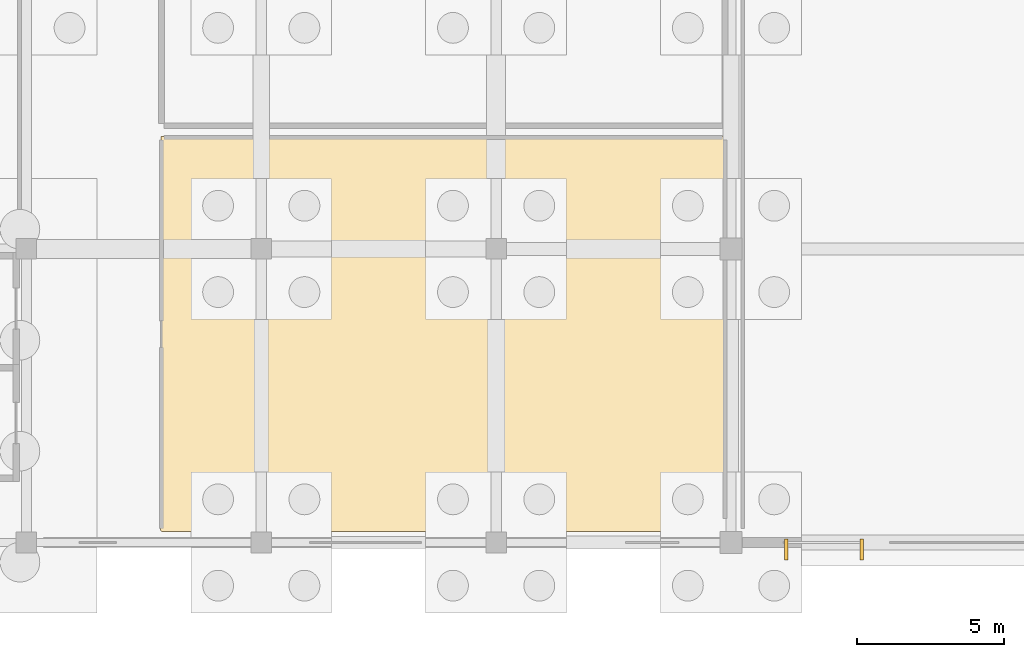
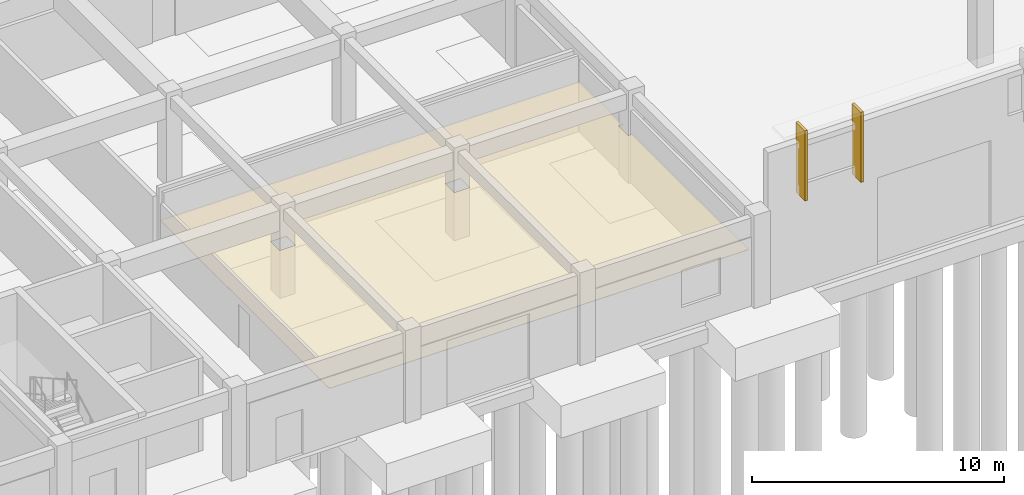
# One storey, part 77 of 84: 3 coverings.
"""IFC4 building model written with IfcOpenShell, lengths in metres."""

from ifc_helpers import new_model, si_unit, direction, frame, origin, origin_2d, place, context, subcontext, project, spatial, polyline, rectangle, outline, extrude, material, layer, layer_set, type_object, element, save


model = new_model("IFC4")

# Units and contexts
model_context = context("Model", 3, precision=1e-05, world=origin(), true_north=direction((0.0, 1.0)))
body_context = subcontext(model_context, "Body", "Model", "MODEL_VIEW")
ifc_project = project(units=[si_unit("LENGTHUNIT", "METRE"), si_unit("AREAUNIT", "SQUARE_METRE"), si_unit("VOLUMEUNIT", "CUBIC_METRE"), si_unit("PLANEANGLEUNIT", "RADIAN"), si_unit("MASSUNIT", "GRAM", prefix="KILO")], contexts=[model_context])

# Site, building, storey
site_placement = place(None, origin())
site = spatial("IfcSite", under=ifc_project, at=site_placement, CompositionType="ELEMENT")
building_placement = place(site_placement, origin())
building = spatial("IfcBuilding", under=site, at=building_placement, Name="Larkveld Mobility Hub", CompositionType="ELEMENT")
storey_placement = place(building_placement, origin())
storey = spatial("IfcBuildingStorey", under=building, at=storey_placement, Name="L00", CompositionType="ELEMENT", Elevation=0.0)

# Coverings
ifc_material_1 = material(Name="Precast concrete C50/60", Category="concrete")
ifc_layer_1 = layer(ifc_material_1, 0.1201171875, Name="Precast concrete C50/60", Category="concrete")
ifc_layer_set_1 = layer_set([ifc_layer_1], Name="Precast concrete C50/60")
covering_type_1 = type_object("IfcCoveringType", Name="COV-QSL-V01", PredefinedType="CLADDING", material=ifc_layer_set_1)
for number, where, z_axis, x_axis, name in (
    (1, (153.883056640625, -0.239990234375, 4.58056640625), (0.0, 0.0, 1.0), (1.0, 0.0, 0.0), "Precast Quebra-Sol Vertical Fin QSV-187"),
    (2, (156.449951171875, -0.239990234375, 4.58056640625), (0.0, 0.0, 1.0), (1.0, 0.0, 0.0), "Precast Quebra-Sol Vertical Fin QSV-188"),
):
    element("IfcCovering", number, at=place(storey_placement, frame(where, z_axis=z_axis, x_axis=x_axis)), inside=storey, type_object=covering_type_1, Name=name, PredefinedType="CLADDING", context=body_context, shape_type="SweptSolid", body=[
        extrude(rectangle(XDim=0.1201171875, YDim=0.719970703125, at=origin_2d()), origin(), (0.0, 0.0, 1.0), 3.405029296875),
    ])
ifc_material_2 = material(Name="Moisture-resistant gypsum board ceiling", Category="masonry")
ifc_layer_2 = layer(ifc_material_2, 0.02490234375, Name="Moisture-resistant gypsum board ceiling", Category="masonry")
ifc_layer_set_2 = layer_set([ifc_layer_2], Name="Moisture-resistant gypsum board ceiling")
covering_type_2 = type_object("IfcCoveringType", Name="CV-CLG-025", PredefinedType="CEILING", material=ifc_layer_set_2)
covering_placement = place(storey_placement, frame((0.0, 0.0, 2.324951171875)))
element("IfcCovering", 3, at=covering_placement, inside=storey, type_object=covering_type_2, Name="Automated Bus Wash and Inspection Bay Acoustic Ceiling 011", PredefinedType="CEILING", context=body_context, shape_type="SweptSolid", body=[
    extrude(outline(polyline([(132.616943359375, 0.3701171875), (132.614013671875, 0.37109375), (132.611083984375, 0.37109375), (132.60888671875, 0.3720703125), (132.60595703125, 0.3740234375), (132.60302734375, 0.375), (132.60107421875, 0.376953125), (132.59912109375, 0.37890625), (132.5791015625, 0.39892578125), (132.576904296875, 0.40087890625), (132.574951171875, 0.403076171875), (132.573974609375, 0.406005859375), (132.572021484375, 0.408935546875), (132.571044921875, 0.410888671875), (132.571044921875, 0.4140625), (132.570068359375, 0.4169921875), (132.570068359375, 0.419921875), (132.5791015625, 13.797119140625), (132.5791015625, 13.800048828125), (132.5791015625, 13.802978515625), (132.580078125, 13.804931640625), (132.5810546875, 13.80810546875), (132.58203125, 13.81103515625), (132.583984375, 13.81298828125), (132.5859375, 13.81591796875), (132.587890625, 13.818115234375), (132.590087890625, 13.820068359375), (132.592041015625, 13.822021484375), (132.594970703125, 13.822998046875), (132.596923828125, 13.823974609375), (132.60009765625, 13.824951171875), (132.60302734375, 13.825927734375), (132.60595703125, 13.825927734375), (132.60888671875, 13.826904296875), (151.797119140625, 13.821044921875), (151.800048828125, 13.821044921875), (151.802001953125, 13.821044921875), (151.804931640625, 13.820068359375), (151.80810546875, 13.819091796875), (151.81103515625, 13.818115234375), (151.81298828125, 13.81591796875), (151.81591796875, 13.81396484375), (151.818115234375, 13.81201171875), (151.820068359375, 13.81005859375), (151.822021484375, 13.80810546875), (151.822998046875, 13.804931640625), (151.823974609375, 13.802978515625), (151.824951171875, 13.800048828125), (151.825927734375, 13.797119140625), (151.825927734375, 13.7939453125), (151.826904296875, 13.791015625), (151.824951171875, 10.3798828125), (151.6201171875, 10.3798828125), (151.6201171875, 9.6201171875), (151.824951171875, 9.6201171875), (151.821044921875, 0.403076171875), (151.821044921875, 0.39990234375), (151.821044921875, 0.39794921875), (151.820068359375, 0.39501953125), (151.819091796875, 0.39208984375), (151.818115234375, 0.388916015625), (151.81591796875, 0.386962890625), (151.81396484375, 0.384033203125), (151.81201171875, 0.382080078125), (151.81005859375, 0.3798828125), (151.81005859375, 0.3798828125), (151.6201171875, 0.3798828125), (151.6201171875, 0.373046875), (132.6201171875, 0.3701171875), (132.616943359375, 0.3701171875)]), holes=[polyline([(135.64501953125, 10.35498046875), (135.64501953125, 9.64501953125), (136.35498046875, 9.64501953125), (136.35498046875, 10.35498046875), (135.64501953125, 10.35498046875)]), polyline([(143.64501953125, 10.35498046875), (143.64501953125, 9.64501953125), (144.35498046875, 9.64501953125), (144.35498046875, 10.35498046875), (143.64501953125, 10.35498046875)])]), origin(), (0.0, 0.0, 1.0), 0.025146484375),
])

save(model, "model.ifc")
